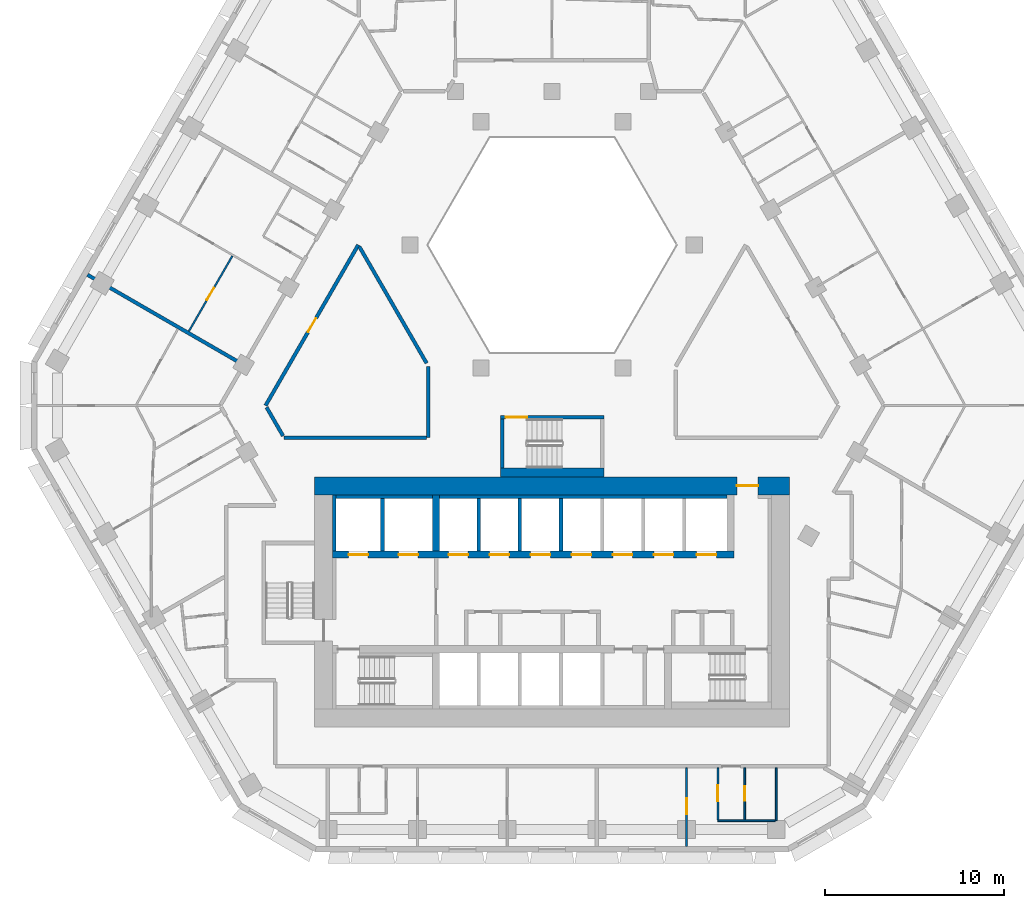
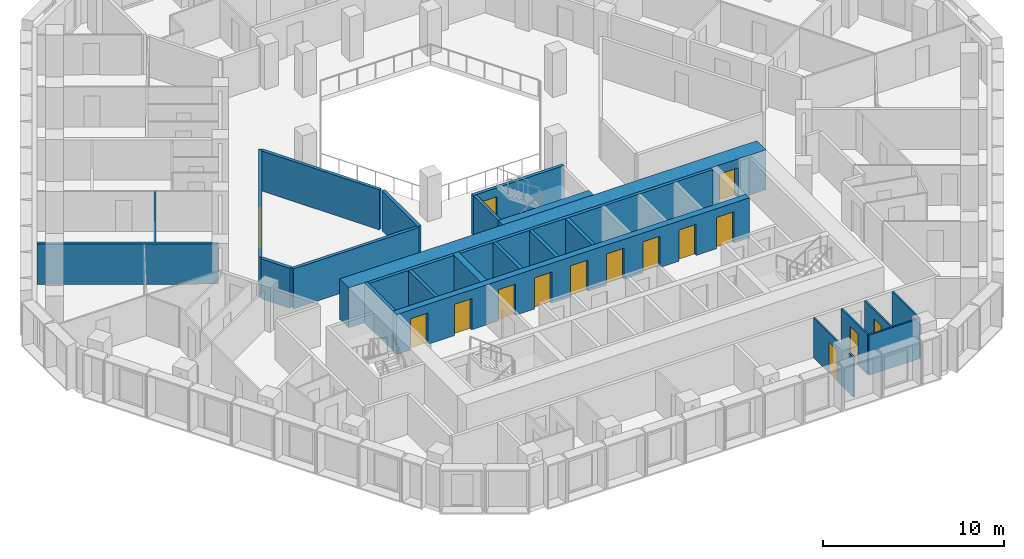
# One storey, part 5 of 16: 25 walls, 16 doors, 16 openings.
"""IFC4 building model written with IfcOpenShell, lengths in metres."""

from ifc_helpers import new_model, si_unit, direction, frame, frame_2d, origin, place, context, subcontext, project, spatial, rectangle, extrude, material, layer, layer_set, type_object, element, fill, save


model = new_model("IFC4")

# Units and contexts
model_context = context("Model", 3, precision=1e-05, world=origin(), true_north=direction((0.0, 1.0)))
body_context = subcontext(model_context, "Body", "Model", "MODEL_VIEW")
ifc_project = project(units=[si_unit("LENGTHUNIT", "METRE"), si_unit("AREAUNIT", "SQUARE_METRE"), si_unit("VOLUMEUNIT", "CUBIC_METRE"), si_unit("PLANEANGLEUNIT", "RADIAN"), si_unit("MASSUNIT", "GRAM", prefix="KILO")], contexts=[model_context])

# Site, building, storey
site_placement = place(None, origin())
site = spatial("IfcSite", under=ifc_project, at=site_placement, CompositionType="ELEMENT")
building_placement = place(site_placement, origin())
building = spatial("IfcBuilding", under=site, at=building_placement, Name="Beryl Residences", CompositionType="ELEMENT")
storey_placement = place(building_placement, frame((0.0, 0.0, 90.0)))
storey = spatial("IfcBuildingStorey", under=building, at=storey_placement, Name="L27", CompositionType="ELEMENT", Elevation=90.0)

# Wall, opening, door
ifc_material_1 = material(Name="Gypsum board partition on steel studs", Category="steel")
ifc_layer_1 = layer(ifc_material_1, 0.10009765625)
ifc_layer_set_1 = layer_set([ifc_layer_1], Name="PT1 partition 100 mm gypsum board on steel studs")
wall_type_1 = type_object("IfcWallType", Name="PT1 partition 100 mm gypsum board on steel studs", PredefinedType="PARTITIONING", material=ifc_layer_set_1)
wall_1_placement = place(storey_placement, frame((9.29296875, -21.300048828125, 0.0), z_axis=(0.0, 0.0, 1.0), x_axis=(0.0, -1.0, 0.0)))
wall_1 = element("IfcWall", 1, at=wall_1_placement, inside=storey, type_object=wall_type_1, Name="Wall PT1 L27 011", PredefinedType="PARTITIONING", context=body_context, shape_type="SweptSolid", body=[
    extrude(rectangle(XDim=2.908935546875, YDim=0.10009765625, at=frame_2d((1.45458984375, 0.0))), origin(), (0.0, 0.0, 1.0), 2.699951171875),
])
opening_1_placement = place(wall_1_placement, frame((0.97998046875, 0.0, 0.0)))
opening_1 = element("IfcOpeningElement", 2, at=opening_1_placement, cuts=wall_1, Name="Opening D0907", PredefinedType="OPENING", context=body_context, shape_type="SweptSolid", body=[
    extrude(rectangle(XDim=0.89990234375, YDim=2.10009765625, at=frame_2d((0.449951171875, 1.050048828125))), frame((0.0, 0.06005859375, 0.0), z_axis=(0.0, -1.0, 0.0), x_axis=(1.0, 0.0, 0.0)), (0.0, 0.0, 1.0), 0.1201171875),
])
ifc_material_2 = material(Name="Timber door leaf", Category="wood")
door_type_1 = type_object("IfcDoorType", Name="D2 room door 900 x 2100 mm", OperationType="SINGLE_SWING_LEFT", PredefinedType="DOOR", material=ifc_material_2)
door_1_placement = place(opening_1_placement, origin())
door_1 = element("IfcDoor", 3, at=door_1_placement, inside=storey, type_object=door_type_1, Name="Door D0907 L27 001", OperationType="SINGLE_SWING_LEFT", OverallHeight=2.10009765625, OverallWidth=0.89990234375, PredefinedType="DOOR", context=body_context, shape_type="SweptSolid", body=[
    extrude(rectangle(XDim=0.89990234375, YDim=2.10009765625, at=frame_2d((0.449951171875, 1.050048828125))), frame((0.0, 0.02490234375, 0.0), z_axis=(0.0, -1.0, 0.0), x_axis=(1.0, 0.0, 0.0)), (0.0, 0.0, 1.0), 0.050048828125),
])
fill(opening_1, door_1)

# Wall
wall_2_placement = place(storey_placement, frame((9.2939453125, -24.260009765625, 0.0), z_axis=(0.0, 0.0, 1.0), x_axis=(1.0, 0.0, 0.0)))
element("IfcWall", 4, at=wall_2_placement, inside=storey, type_object=wall_type_1, Name="Wall PT1 L27 029", PredefinedType="PARTITIONING", context=body_context, shape_type="SweptSolid", body=[
    extrude(rectangle(XDim=3.213134765625, YDim=0.10009765625, at=frame_2d((1.6064453125, 0.0))), origin(), (0.0, 0.0, 1.0), 2.699951171875),
])

# Wall, opening, door
wall_3_placement = place(storey_placement, frame((-20.344970703125, 3.162109375, 0.0), z_axis=(0.0, 0.0, 1.0), x_axis=(0.499943653708, 0.866057932887, 0.0)))
wall_3 = element("IfcWall", 5, at=wall_3_placement, inside=storey, type_object=wall_type_1, Name="Wall PT1 L27 037", PredefinedType="PARTITIONING", context=body_context, shape_type="SweptSolid", body=[
    extrude(rectangle(XDim=4.87255859375, YDim=0.10009765625, at=frame_2d((2.436279296875, 0.0))), origin(), (0.0, 0.0, 1.0), 2.699951171875),
])
opening_2_placement = place(wall_3_placement, frame((2.010986328125, 0.0, 0.0)))
opening_2 = element("IfcOpeningElement", 6, at=opening_2_placement, cuts=wall_3, Name="Opening D0949", PredefinedType="OPENING", context=body_context, shape_type="SweptSolid", body=[
    extrude(rectangle(XDim=0.800048828125, YDim=2.10009765625, at=frame_2d((0.39990234375, 1.050048828125))), frame((0.0, 0.06005859375, 0.0), z_axis=(0.0, -1.0, 0.0), x_axis=(1.0, 0.0, 0.0)), (0.0, 0.0, 1.0), 0.1201171875),
])
ifc_material_3 = material(Name="Timber door leaf", Category="wood")
door_type_2 = type_object("IfcDoorType", Name="D3 bathroom door 800 x 2100 mm", OperationType="SINGLE_SWING_LEFT", PredefinedType="DOOR", material=ifc_material_3)
door_2_placement = place(opening_2_placement, origin())
door_2 = element("IfcDoor", 7, at=door_2_placement, inside=storey, type_object=door_type_2, Name="Door D0949 L27 001", OperationType="SINGLE_SWING_LEFT", OverallHeight=2.10009765625, OverallWidth=0.800048828125, PredefinedType="DOOR", context=body_context, shape_type="SweptSolid", body=[
    extrude(rectangle(XDim=0.800048828125, YDim=2.10009765625, at=frame_2d((0.39990234375, 1.050048828125))), frame((0.0, 0.02490234375, 0.0), z_axis=(0.0, -1.0, 0.0), x_axis=(1.0, 0.0, 0.0)), (0.0, 0.0, 1.0), 0.050048828125),
])
fill(opening_2, door_2)

wall_4_placement = place(storey_placement, frame((7.534912109375, -25.699951171875, 0.0), z_axis=(0.0, 0.0, 1.0), x_axis=(0.0, 1.0, 0.0)))
wall_4 = element("IfcWall", 8, at=wall_4_placement, inside=storey, type_object=wall_type_1, Name="Wall PT1 L27 047", PredefinedType="PARTITIONING", context=body_context, shape_type="SweptSolid", body=[
    extrude(rectangle(XDim=4.39990234375, YDim=0.10009765625, at=frame_2d((2.199951171875, 0.0))), origin(), (0.0, 0.0, 1.0), 2.699951171875),
])
opening_3_placement = place(wall_4_placement, frame((1.800048828125, 0.0, 0.0)))
opening_3 = element("IfcOpeningElement", 9, at=opening_3_placement, cuts=wall_4, Name="Opening D0909", PredefinedType="OPENING", context=body_context, shape_type="SweptSolid", body=[
    extrude(rectangle(XDim=0.89990234375, YDim=2.10009765625, at=frame_2d((0.449951171875, 1.050048828125))), frame((0.0, 0.06005859375, 0.0), z_axis=(0.0, -1.0, 0.0), x_axis=(1.0, 0.0, 0.0)), (0.0, 0.0, 1.0), 0.1201171875),
])
door_3_placement = place(opening_3_placement, origin())
door_3 = element("IfcDoor", 10, at=door_3_placement, inside=storey, type_object=door_type_1, Name="Door D0909 L27 001", OperationType="SINGLE_SWING_LEFT", OverallHeight=2.10009765625, OverallWidth=0.89990234375, PredefinedType="DOOR", context=body_context, shape_type="SweptSolid", body=[
    extrude(rectangle(XDim=0.89990234375, YDim=2.10009765625, at=frame_2d((0.449951171875, 1.050048828125))), frame((0.0, 0.02490234375, 0.0), z_axis=(0.0, -1.0, 0.0), x_axis=(1.0, 0.0, 0.0)), (0.0, 0.0, 1.0), 0.050048828125),
])
fill(opening_3, door_3)

wall_5_placement = place(storey_placement, frame((10.800048828125, -24.2099609375, 0.0), z_axis=(0.0, 0.0, 1.0), x_axis=(0.0, 1.0, 0.0)))
wall_5 = element("IfcWall", 11, at=wall_5_placement, inside=storey, type_object=wall_type_1, Name="Wall PT1 L27 048", PredefinedType="PARTITIONING", context=body_context, shape_type="SweptSolid", body=[
    extrude(rectangle(XDim=2.909912109375, YDim=0.10009765625, at=frame_2d((1.455078125, 0.0))), origin(), (0.0, 0.0, 1.0), 2.699951171875),
])
opening_4_placement = place(wall_5_placement, frame((1.080078125, 0.0, 0.0)))
opening_4 = element("IfcOpeningElement", 12, at=opening_4_placement, cuts=wall_5, Name="Opening D0908", PredefinedType="OPENING", context=body_context, shape_type="SweptSolid", body=[
    extrude(rectangle(XDim=0.800048828125, YDim=2.10009765625, at=frame_2d((0.39990234375, 1.050048828125))), frame((0.0, 0.06005859375, 0.0), z_axis=(0.0, -1.0, 0.0), x_axis=(1.0, 0.0, 0.0)), (0.0, 0.0, 1.0), 0.1201171875),
])
door_4_placement = place(opening_4_placement, origin())
door_4 = element("IfcDoor", 13, at=door_4_placement, inside=storey, type_object=door_type_2, Name="Door D0908 L27 001", OperationType="SINGLE_SWING_RIGHT", OverallHeight=2.10009765625, OverallWidth=0.800048828125, PredefinedType="DOOR", context=body_context, shape_type="SweptSolid", body=[
    extrude(rectangle(XDim=0.800048828125, YDim=2.10009765625, at=frame_2d((0.39990234375, 1.050048828125))), frame((0.0, 0.02490234375, 0.0), z_axis=(0.0, -1.0, 0.0), x_axis=(1.0, 0.0, 0.0)), (0.0, 0.0, 1.0), 0.050048828125),
])
fill(opening_4, door_4)

# Walls
wall_6_placement = place(storey_placement, frame((12.55810546875, -24.259033203125, 0.0), z_axis=(0.0, 0.0, 1.0), x_axis=(0.0, 1.0, 0.0)))
element("IfcWall", 14, at=wall_6_placement, inside=storey, type_object=wall_type_1, Name="Wall PT1 L27 050", PredefinedType="PARTITIONING", context=body_context, shape_type="SweptSolid", body=[
    extrude(rectangle(XDim=2.958984375, YDim=0.10009765625, at=frame_2d((1.4794921875, 0.0))), origin(), (0.0, 0.0, 1.0), 2.699951171875),
])
ifc_material_4 = material(Name="Acoustic double stud gypsum board wall")
ifc_layer_2 = layer(ifc_material_4, 0.199951171875)
ifc_layer_set_2 = layer_set([ifc_layer_2], Name="PT3 party wall 200 mm acoustic double stud")
wall_type_2 = type_object("IfcWallType", Name="PT3 party wall 200 mm acoustic double stud", PredefinedType="PARTITIONING", material=ifc_layer_set_2)
wall_7_placement = place(storey_placement, frame((-26.02490234375, 6.324951171875, 0.0), z_axis=(0.0, 0.0, 1.0), x_axis=(0.866041268327, -0.499972520799, 0.0)))
element("IfcWall", 15, at=wall_7_placement, inside=storey, type_object=wall_type_2, Name="Wall PT3 L27 002", PredefinedType="PARTITIONING", context=body_context, shape_type="SweptSolid", body=[
    extrude(rectangle(XDim=10.00048828125, YDim=0.199951171875, at=frame_2d((5.000244140625, 0.0))), origin(), (0.0, 0.0, 1.0), 2.699951171875),
])
ifc_material_5 = material(Name="Double stud gypsum board wall")
ifc_layer_3 = layer(ifc_material_5, 0.199951171875)
ifc_layer_set_3 = layer_set([ifc_layer_3], Name="PT4 corridor wall 200 mm double stud")
wall_type_3 = type_object("IfcWallType", Name="PT4 corridor wall 200 mm double stud", PredefinedType="PARTITIONING", material=ifc_layer_set_3)
wall_8_placement = place(storey_placement, frame((-10.7958984375, 7.89892578125, 0.0), z_axis=(0.0, 0.0, 1.0), x_axis=(0.500010383074, -0.866019409031, 0.0)))
element("IfcWall", 16, at=wall_8_placement, inside=storey, type_object=wall_type_3, Name="Wall PT4 L27 001", PredefinedType="PARTITIONING", context=body_context, shape_type="SweptSolid", body=[
    extrude(rectangle(XDim=7.535400390625, YDim=0.199951171875, at=frame_2d((3.767578125, 0.0))), origin(), (0.0, 0.0, 1.0), 2.699951171875),
])
wall_9_placement = place(storey_placement, frame((-15.992919921875, -1.10107421875, 0.0), z_axis=(0.0, 0.0, 1.0), x_axis=(0.499894174133, -0.866086493757, 0.0)))
element("IfcWall", 17, at=wall_9_placement, inside=storey, type_object=wall_type_3, Name="Wall PT4 L27 002", PredefinedType="PARTITIONING", context=body_context, shape_type="SweptSolid", body=[
    extrude(rectangle(XDim=1.84619140625, YDim=0.199951171875, at=frame_2d((0.923095703125, 0.0))), origin(), (0.0, 0.0, 1.0), 2.699951171875),
])
wall_10_placement = place(storey_placement, frame((-15.010986328125, -2.800048828125, 0.0), z_axis=(0.0, 0.0, 1.0), x_axis=(1.0, 0.0, 0.0)))
element("IfcWall", 18, at=wall_10_placement, inside=storey, type_object=wall_type_3, Name="Wall PT4 L27 017", PredefinedType="PARTITIONING", context=body_context, shape_type="SweptSolid", body=[
    extrude(rectangle(XDim=7.98193359375, YDim=0.199951171875, at=frame_2d((3.990966796875, 0.0))), origin(), (0.0, 0.0, 1.0), 2.699951171875),
])

# Wall, opening, door
wall_11_placement = place(storey_placement, frame((-16.050048828125, -1.0, 0.0), z_axis=(0.0, 0.0, 1.0), x_axis=(0.499962449088, 0.866047082728, 0.0)))
wall_11 = element("IfcWall", 19, at=wall_11_placement, inside=storey, type_object=wall_type_3, Name="Wall PT4 L27 026", PredefinedType="PARTITIONING", context=body_context, shape_type="SweptSolid", body=[
    extrude(rectangle(XDim=10.390869140625, YDim=0.199951171875, at=frame_2d((5.1953125, 0.0))), origin(), (0.0, 0.0, 1.0), 2.699951171875),
])
opening_5_placement = place(wall_11_placement, frame((4.7451171875, 0.0, 0.0)))
opening_5 = element("IfcOpeningElement", 20, at=opening_5_placement, cuts=wall_11, Name="Opening D0962", PredefinedType="OPENING", context=body_context, shape_type="SweptSolid", body=[
    extrude(rectangle(XDim=0.89990234375, YDim=2.10009765625, at=frame_2d((0.449951171875, 1.050048828125))), frame((0.0, 0.10986328125, 0.0), z_axis=(0.0, -1.0, 0.0), x_axis=(1.0, 0.0, 0.0)), (0.0, 0.0, 1.0), 0.219970703125),
])
door_5_placement = place(opening_5_placement, origin())
door_5 = element("IfcDoor", 21, at=door_5_placement, inside=storey, type_object=door_type_1, Name="Door D0962 L27 001", OperationType="SINGLE_SWING_RIGHT", OverallHeight=2.10009765625, OverallWidth=0.89990234375, PredefinedType="DOOR", context=body_context, shape_type="SweptSolid", body=[
    extrude(rectangle(XDim=0.89990234375, YDim=2.10009765625, at=frame_2d((0.449951171875, 1.050048828125))), frame((0.0, 0.02490234375, 0.0), z_axis=(0.0, -1.0, 0.0), x_axis=(1.0, 0.0, 0.0)), (0.0, 0.0, 1.0), 0.050048828125),
])
fill(opening_5, door_5)

# Wall
wall_12_placement = place(storey_placement, frame((-6.927978515625, -2.799072265625, 0.0), z_axis=(0.0, 0.0, 1.0), x_axis=(0.0, 1.0, 0.0)))
element("IfcWall", 22, at=wall_12_placement, inside=storey, type_object=wall_type_3, Name="Wall PT4 L27 033", PredefinedType="PARTITIONING", context=body_context, shape_type="SweptSolid", body=[
    extrude(rectangle(XDim=3.9990234375, YDim=0.199951171875, at=frame_2d((1.99951171875, 0.0))), origin(), (0.0, 0.0, 1.0), 2.699951171875),
])

# Wall, opening, door
ifc_material_6 = material(Name="Concrete C40/50", Category="concrete")
ifc_layer_4 = layer(ifc_material_6, 0.199951171875)
ifc_layer_set_4 = layer_set([ifc_layer_4], Name="PT5 stair enclosure wall 200 mm reinforced concrete C40/50")
wall_type_4 = type_object("IfcWallType", Name="PT5 stair enclosure wall 200 mm reinforced concrete C40/50", PredefinedType="SOLIDWALL", material=ifc_layer_set_4)
wall_13_placement = place(storey_placement, frame((-2.89990234375, -1.64990234375, 0.0), z_axis=(0.0, 0.0, 1.0), x_axis=(1.0, 0.0, 0.0)))
wall_13 = element("IfcWall", 23, at=wall_13_placement, inside=storey, type_object=wall_type_4, Name="Wall PT5 L27 001", PredefinedType="SOLIDWALL", context=body_context, shape_type="SweptSolid", body=[
    extrude(rectangle(XDim=5.7998046875, YDim=0.199951171875, at=frame_2d((2.89990234375, 0.0))), origin(), (0.0, 0.0, 1.0), 2.699951171875),
])
opening_6_placement = place(wall_13_placement, frame((0.300048828125, 0.0, 0.0)))
opening_6 = element("IfcOpeningElement", 24, at=opening_6_placement, cuts=wall_13, Name="Opening DS04", PredefinedType="OPENING", context=body_context, shape_type="SweptSolid", body=[
    extrude(rectangle(XDim=1.199951171875, YDim=2.10009765625, at=frame_2d((0.60009765625, 1.050048828125))), frame((0.0, 0.10986328125, 0.0), z_axis=(0.0, -1.0, 0.0), x_axis=(1.0, 0.0, 0.0)), (0.0, 0.0, 1.0), 0.219970703125),
])
ifc_material_7 = material(Name="Steel door leaf in steel frame", Category="steel")
door_type_3 = type_object("IfcDoorType", Name="D4 stair door 1200 x 2100 mm", OperationType="SINGLE_SWING_LEFT", PredefinedType="DOOR", material=ifc_material_7)
door_6_placement = place(opening_6_placement, origin())
door_6 = element("IfcDoor", 25, at=door_6_placement, inside=storey, type_object=door_type_3, Name="Door DS04 L27 001", OperationType="SINGLE_SWING_LEFT", OverallHeight=2.10009765625, OverallWidth=1.199951171875, PredefinedType="DOOR", context=body_context, shape_type="SweptSolid", body=[
    extrude(rectangle(XDim=1.199951171875, YDim=2.10009765625, at=frame_2d((0.60009765625, 1.050048828125))), frame((0.0, 0.02490234375, 0.0), z_axis=(0.0, -1.0, 0.0), x_axis=(1.0, 0.0, 0.0)), (0.0, 0.0, 1.0), 0.050048828125),
])
fill(opening_6, door_6)

# Walls
wall_14_placement = place(storey_placement, frame((-2.800048828125, -4.5, 0.0), z_axis=(0.0, 0.0, 1.0), x_axis=(0.0, 1.0, 0.0)))
element("IfcWall", 26, at=wall_14_placement, inside=storey, type_object=wall_type_4, Name="Wall PT5 L27 002", PredefinedType="SOLIDWALL", context=body_context, shape_type="SweptSolid", body=[
    extrude(rectangle(XDim=2.75, YDim=0.199951171875, at=frame_2d((1.375, 0.0))), origin(), (0.0, 0.0, 1.0), 2.699951171875),
])
ifc_material_8 = material(Name="Concrete C40/50", Category="concrete")
ifc_layer_5 = layer(ifc_material_8, 0.5)
ifc_layer_set_5 = layer_set([ifc_layer_5], Name="PT5-500 stair enclosure wall 500 mm")
wall_type_5 = type_object("IfcWallType", Name="PT5-500 stair enclosure wall 500 mm", PredefinedType="SOLIDWALL", material=ifc_layer_set_5)
wall_15_placement = place(storey_placement, frame((-2.89990234375, -4.75, 0.0), z_axis=(0.0, 0.0, 1.0), x_axis=(1.0, 0.0, 0.0)))
element("IfcWall", 27, at=wall_15_placement, inside=storey, type_object=wall_type_5, Name="Wall PT5-500 L27 001", PredefinedType="SOLIDWALL", context=body_context, shape_type="SweptSolid", body=[
    extrude(rectangle(XDim=5.7998046875, YDim=0.5, at=frame_2d((2.89990234375, 0.0))), origin(), (0.0, 0.0, 1.0), 2.699951171875),
])
ifc_material_9 = material(Name="Concrete C40/50", Category="concrete")
ifc_layer_6 = layer(ifc_material_9, 0.199951171875)
ifc_layer_set_6 = layer_set([ifc_layer_6], Name="PT6 lift shaft wall 200 mm reinforced concrete C40/50")
wall_type_6 = type_object("IfcWallType", Name="PT6 lift shaft wall 200 mm reinforced concrete C40/50", PredefinedType="SOLIDWALL", material=ifc_layer_set_6)
wall_16_placement = place(storey_placement, frame((-12.199951171875, -9.14990234375, 0.0), z_axis=(0.0, 0.0, 1.0), x_axis=(0.0, 1.0, 0.0)))
element("IfcWall", 28, at=wall_16_placement, inside=storey, type_object=wall_type_6, Name="Lift shaft wall 06", PredefinedType="SOLIDWALL", context=body_context, shape_type="SweptSolid", body=[
    extrude(rectangle(XDim=3.14990234375, YDim=0.199951171875, at=frame_2d((1.574951171875, 0.0))), origin(), (0.0, 0.0, 1.0), 2.699951171875),
])
wall_17_placement = place(storey_placement, frame((-12.10009765625, -6.10009765625, 0.0), z_axis=(0.0, 0.0, 1.0), x_axis=(1.0, 0.0, 0.0)))
element("IfcWall", 29, at=wall_17_placement, inside=storey, type_object=wall_type_6, Name="Lift shaft wall 08", PredefinedType="SOLIDWALL", context=body_context, shape_type="SweptSolid", body=[
    extrude(rectangle(XDim=5.400146484375, YDim=0.199951171875, at=frame_2d((2.7001953125, 0.0))), origin(), (0.0, 0.0, 1.0), 2.699951171875),
])
wall_18_placement = place(storey_placement, frame((-9.5, -9.14990234375, 0.0), z_axis=(0.0, 0.0, 1.0), x_axis=(0.0, 1.0, 0.0)))
element("IfcWall", 30, at=wall_18_placement, inside=storey, type_object=wall_type_6, Name="Lift shaft wall 10", PredefinedType="SOLIDWALL", context=body_context, shape_type="SweptSolid", body=[
    extrude(rectangle(XDim=2.949951171875, YDim=0.199951171875, at=frame_2d((1.47509765625, 0.0))), origin(), (0.0, 0.0, 1.0), 2.699951171875),
])
wall_19_placement = place(storey_placement, frame((-6.300048828125, -6.10009765625, 0.0), z_axis=(0.0, 0.0, 1.0), x_axis=(1.0, 0.0, 0.0)))
element("IfcWall", 31, at=wall_19_placement, inside=storey, type_object=wall_type_6, Name="Lift shaft wall 13", PredefinedType="SOLIDWALL", context=body_context, shape_type="SweptSolid", body=[
    extrude(rectangle(XDim=16.10009765625, YDim=0.199951171875, at=frame_2d((8.050048828125, 0.0))), origin(), (0.0, 0.0, 1.0), 2.699951171875),
])
for number, where, z_axis, x_axis, name in (
    (32, (-4.10009765625, -9.14990234375, 0.0), (0.0, 0.0, 1.0), (0.0, 1.0, 0.0), "Lift shaft wall 17"),
    (33, (-1.800048828125, -9.14990234375, 0.0), (0.0, 0.0, 1.0), (0.0, 1.0, 0.0), "Lift shaft wall 20"),
    (34, (0.5, -9.14990234375, 0.0), (0.0, 0.0, 1.0), (0.0, 1.0, 0.0), "Lift shaft wall 22"),
):
    element("IfcWall", number, at=place(storey_placement, frame(where, z_axis=z_axis, x_axis=x_axis)), inside=storey, type_object=wall_type_6, Name=name, PredefinedType="SOLIDWALL", context=body_context, shape_type="SweptSolid", body=[
        extrude(rectangle(XDim=2.949951171875, YDim=0.199951171875, at=frame_2d((1.47509765625, 0.0))), origin(), (0.0, 0.0, 1.0), 2.699951171875),
    ])

# Wall, opening, door
ifc_material_10 = material(Name="Concrete C70/85", Category="concrete")
ifc_layer_7 = layer(ifc_material_10, 1.0)
ifc_layer_set_7 = layer_set([ifc_layer_7], Name="SW2 core outer wall 1000 mm C70/85")
wall_type_7 = type_object("IfcWallType", Name="SW2 core outer wall 1000 mm C70/85", PredefinedType="SHEAR", material=ifc_layer_set_7)
wall_20_placement = place(storey_placement, frame((-13.300048828125, -5.5, 0.0), z_axis=(0.0, 0.0, 1.0), x_axis=(1.0, 0.0, 0.0)))
wall_20 = element("IfcWall", 35, at=wall_20_placement, inside=storey, type_object=wall_type_7, Name="Core wall N L27", PredefinedType="SHEAR", context=body_context, shape_type="SweptSolid", body=[
    extrude(rectangle(XDim=26.60009765625, YDim=1.0, at=frame_2d((13.300048828125, 0.0))), origin(), (0.0, 0.0, 1.0), 2.699951171875),
])
opening_7_placement = place(wall_20_placement, frame((23.64990234375, 0.0, 0.0)))
opening_7 = element("IfcOpeningElement", 36, at=opening_7_placement, cuts=wall_20, Name="Opening FD-NORTH", PredefinedType="OPENING", context=body_context, shape_type="SweptSolid", body=[
    extrude(rectangle(XDim=1.199951171875, YDim=2.10009765625, at=frame_2d((0.60009765625, 1.050048828125))), frame((0.0, 0.510009765625, 0.0), z_axis=(0.0, -1.0, 0.0), x_axis=(1.0, 0.0, 0.0)), (0.0, 0.0, 1.0), 1.02001953125),
])
ifc_material_11 = material(Name="Steel door leaf in steel frame", Category="steel")
door_type_4 = type_object("IfcDoorType", Name="D22 lobby door 1200 x 2100 mm", OperationType="DOUBLE_DOOR_SINGLE_SWING", PredefinedType="DOOR", material=ifc_material_11)
door_7_placement = place(opening_7_placement, origin())
door_7 = element("IfcDoor", 37, at=door_7_placement, inside=storey, type_object=door_type_4, Name="Door FD-NORTH L27 001", OperationType="DOUBLE_DOOR_SINGLE_SWING", OverallHeight=2.10009765625, OverallWidth=1.199951171875, PredefinedType="DOOR", context=body_context, shape_type="SweptSolid", body=[
    extrude(rectangle(XDim=1.199951171875, YDim=2.10009765625, at=frame_2d((0.60009765625, 1.050048828125))), frame((0.0, 0.02490234375, 0.0), z_axis=(0.0, -1.0, 0.0), x_axis=(1.0, 0.0, 0.0)), (0.0, 0.0, 1.0), 0.050048828125),
])
fill(opening_7, door_7)

# Wall, openings, doors
ifc_material_12 = material(Name="Concrete C70/85", Category="concrete")
ifc_layer_8 = layer(ifc_material_12, 0.39990234375)
ifc_layer_set_8 = layer_set([ifc_layer_8], Name="SW7 core internal wall 400 mm C70/85")
wall_type_8 = type_object("IfcWallType", Name="SW7 core internal wall 400 mm C70/85", PredefinedType="SHEAR", material=ifc_layer_set_8)
wall_21_placement = place(storey_placement, frame((-12.300048828125, -9.35009765625, 0.0), z_axis=(0.0, 0.0, 1.0), x_axis=(1.0, 0.0, 0.0)))
wall_21 = element("IfcWall", 38, at=wall_21_placement, inside=storey, type_object=wall_type_8, Name="Core wall SP2 L27", PredefinedType="SHEAR", context=body_context, shape_type="SweptSolid", body=[
    extrude(rectangle(XDim=22.5, YDim=0.39990234375, at=frame_2d((11.25, 0.0))), origin(), (0.0, 0.0, 1.0), 2.699951171875),
])
opening_8_placement = place(wall_21_placement, frame((0.89990234375, 0.0, 0.0)))
opening_8 = element("IfcOpeningElement", 39, at=opening_8_placement, cuts=wall_21, Name="Opening LD-FF1", PredefinedType="OPENING", context=body_context, shape_type="SweptSolid", body=[
    extrude(rectangle(XDim=1.10009765625, YDim=2.10009765625, at=frame_2d((0.550048828125, 1.050048828125))), frame((0.0, 0.2099609375, 0.0), z_axis=(0.0, -1.0, 0.0), x_axis=(1.0, 0.0, 0.0)), (0.0, 0.0, 1.0), 0.419921875),
])
opening_9_placement = place(wall_21_placement, frame((3.699951171875, 0.0, 0.0)))
opening_9 = element("IfcOpeningElement", 40, at=opening_9_placement, cuts=wall_21, Name="Opening LD-FF2", PredefinedType="OPENING", context=body_context, shape_type="SweptSolid", body=[
    extrude(rectangle(XDim=1.10009765625, YDim=2.10009765625, at=frame_2d((0.550048828125, 1.050048828125))), frame((0.0, 0.2099609375, 0.0), z_axis=(0.0, -1.0, 0.0), x_axis=(1.0, 0.0, 0.0)), (0.0, 0.0, 1.0), 0.419921875),
])
opening_10_placement = place(wall_21_placement, frame((6.5, 0.0, 0.0)))
opening_10 = element("IfcOpeningElement", 41, at=opening_10_placement, cuts=wall_21, Name="Opening LD-LR1", PredefinedType="OPENING", context=body_context, shape_type="SweptSolid", body=[
    extrude(rectangle(XDim=1.10009765625, YDim=2.10009765625, at=frame_2d((0.550048828125, 1.050048828125))), frame((0.0, 0.2099609375, 0.0), z_axis=(0.0, -1.0, 0.0), x_axis=(1.0, 0.0, 0.0)), (0.0, 0.0, 1.0), 0.419921875),
])
opening_11_placement = place(wall_21_placement, frame((8.800048828125, 0.0, 0.0)))
opening_11 = element("IfcOpeningElement", 42, at=opening_11_placement, cuts=wall_21, Name="Opening LD-LR2", PredefinedType="OPENING", context=body_context, shape_type="SweptSolid", body=[
    extrude(rectangle(XDim=1.10009765625, YDim=2.10009765625, at=frame_2d((0.550048828125, 1.050048828125))), frame((0.0, 0.2099609375, 0.0), z_axis=(0.0, -1.0, 0.0), x_axis=(1.0, 0.0, 0.0)), (0.0, 0.0, 1.0), 0.419921875),
])
opening_12_placement = place(wall_21_placement, frame((11.10009765625, 0.0, 0.0)))
opening_12 = element("IfcOpeningElement", 43, at=opening_12_placement, cuts=wall_21, Name="Opening LD-LR3", PredefinedType="OPENING", context=body_context, shape_type="SweptSolid", body=[
    extrude(rectangle(XDim=1.10009765625, YDim=2.10009765625, at=frame_2d((0.550048828125, 1.050048828125))), frame((0.0, 0.2099609375, 0.0), z_axis=(0.0, -1.0, 0.0), x_axis=(1.0, 0.0, 0.0)), (0.0, 0.0, 1.0), 0.419921875),
])
opening_13_placement = place(wall_21_placement, frame((13.39990234375, 0.0, 0.0)))
opening_13 = element("IfcOpeningElement", 44, at=opening_13_placement, cuts=wall_21, Name="Opening LD-LR4", PredefinedType="OPENING", context=body_context, shape_type="SweptSolid", body=[
    extrude(rectangle(XDim=1.10009765625, YDim=2.10009765625, at=frame_2d((0.550048828125, 1.050048828125))), frame((0.0, 0.2099609375, 0.0), z_axis=(0.0, -1.0, 0.0), x_axis=(1.0, 0.0, 0.0)), (0.0, 0.0, 1.0), 0.419921875),
])
opening_14_placement = place(wall_21_placement, frame((15.699951171875, 0.0, 0.0)))
opening_14 = element("IfcOpeningElement", 45, at=opening_14_placement, cuts=wall_21, Name="Opening LD-LR5", PredefinedType="OPENING", context=body_context, shape_type="SweptSolid", body=[
    extrude(rectangle(XDim=1.10009765625, YDim=2.10009765625, at=frame_2d((0.550048828125, 1.050048828125))), frame((0.0, 0.2099609375, 0.0), z_axis=(0.0, -1.0, 0.0), x_axis=(1.0, 0.0, 0.0)), (0.0, 0.0, 1.0), 0.419921875),
])
opening_15_placement = place(wall_21_placement, frame((18.0, 0.0, 0.0)))
opening_15 = element("IfcOpeningElement", 46, at=opening_15_placement, cuts=wall_21, Name="Opening LD-LR6", PredefinedType="OPENING", context=body_context, shape_type="SweptSolid", body=[
    extrude(rectangle(XDim=1.10009765625, YDim=2.10009765625, at=frame_2d((0.550048828125, 1.050048828125))), frame((0.0, 0.2099609375, 0.0), z_axis=(0.0, -1.0, 0.0), x_axis=(1.0, 0.0, 0.0)), (0.0, 0.0, 1.0), 0.419921875),
])
opening_16_placement = place(wall_21_placement, frame((20.39990234375, 0.0, 0.0)))
opening_16 = element("IfcOpeningElement", 47, at=opening_16_placement, cuts=wall_21, Name="Opening LD-SL1", PredefinedType="OPENING", context=body_context, shape_type="SweptSolid", body=[
    extrude(rectangle(XDim=1.10009765625, YDim=2.10009765625, at=frame_2d((0.550048828125, 1.050048828125))), frame((0.0, 0.2099609375, 0.0), z_axis=(0.0, -1.0, 0.0), x_axis=(1.0, 0.0, 0.0)), (0.0, 0.0, 1.0), 0.419921875),
])
ifc_material_13 = material(Name="Stainless steel sliding door", Category="steel")
door_type_5 = type_object("IfcDoorType", Name="LD1 lift landing door 1100 x 2100 mm", OperationType="DOUBLE_DOOR_SLIDING", PredefinedType="DOOR", material=ifc_material_13)
door_8_placement = place(opening_8_placement, origin())
door_8 = element("IfcDoor", 48, at=door_8_placement, inside=storey, type_object=door_type_5, Name="Lift landing door FF1", OperationType="DOUBLE_DOOR_SLIDING", OverallHeight=2.10009765625, OverallWidth=1.10009765625, PredefinedType="DOOR", context=body_context, shape_type="SweptSolid", body=[
    extrude(rectangle(XDim=1.10009765625, YDim=2.10009765625, at=frame_2d((0.550048828125, 1.050048828125))), frame((0.0, 0.02490234375, 0.0), z_axis=(0.0, -1.0, 0.0), x_axis=(1.0, 0.0, 0.0)), (0.0, 0.0, 1.0), 0.050048828125),
])
fill(opening_8, door_8)
door_9_placement = place(opening_9_placement, origin())
door_9 = element("IfcDoor", 49, at=door_9_placement, inside=storey, type_object=door_type_5, Name="Lift landing door FF2", OperationType="DOUBLE_DOOR_SLIDING", OverallHeight=2.10009765625, OverallWidth=1.10009765625, PredefinedType="DOOR", context=body_context, shape_type="SweptSolid", body=[
    extrude(rectangle(XDim=1.10009765625, YDim=2.10009765625, at=frame_2d((0.550048828125, 1.050048828125))), frame((0.0, 0.02490234375, 0.0), z_axis=(0.0, -1.0, 0.0), x_axis=(1.0, 0.0, 0.0)), (0.0, 0.0, 1.0), 0.050048828125),
])
fill(opening_9, door_9)
door_10_placement = place(opening_10_placement, origin())
door_10 = element("IfcDoor", 50, at=door_10_placement, inside=storey, type_object=door_type_5, Name="Lift landing door LR1", OperationType="DOUBLE_DOOR_SLIDING", OverallHeight=2.10009765625, OverallWidth=1.10009765625, PredefinedType="DOOR", context=body_context, shape_type="SweptSolid", body=[
    extrude(rectangle(XDim=1.10009765625, YDim=2.10009765625, at=frame_2d((0.550048828125, 1.050048828125))), frame((0.0, 0.02490234375, 0.0), z_axis=(0.0, -1.0, 0.0), x_axis=(1.0, 0.0, 0.0)), (0.0, 0.0, 1.0), 0.050048828125),
])
fill(opening_10, door_10)
door_11_placement = place(opening_11_placement, origin())
door_11 = element("IfcDoor", 51, at=door_11_placement, inside=storey, type_object=door_type_5, Name="Lift landing door LR2", OperationType="DOUBLE_DOOR_SLIDING", OverallHeight=2.10009765625, OverallWidth=1.10009765625, PredefinedType="DOOR", context=body_context, shape_type="SweptSolid", body=[
    extrude(rectangle(XDim=1.10009765625, YDim=2.10009765625, at=frame_2d((0.550048828125, 1.050048828125))), frame((0.0, 0.02490234375, 0.0), z_axis=(0.0, -1.0, 0.0), x_axis=(1.0, 0.0, 0.0)), (0.0, 0.0, 1.0), 0.050048828125),
])
fill(opening_11, door_11)
door_12_placement = place(opening_12_placement, origin())
door_12 = element("IfcDoor", 52, at=door_12_placement, inside=storey, type_object=door_type_5, Name="Lift landing door LR3", OperationType="DOUBLE_DOOR_SLIDING", OverallHeight=2.10009765625, OverallWidth=1.10009765625, PredefinedType="DOOR", context=body_context, shape_type="SweptSolid", body=[
    extrude(rectangle(XDim=1.10009765625, YDim=2.10009765625, at=frame_2d((0.550048828125, 1.050048828125))), frame((0.0, 0.02490234375, 0.0), z_axis=(0.0, -1.0, 0.0), x_axis=(1.0, 0.0, 0.0)), (0.0, 0.0, 1.0), 0.050048828125),
])
fill(opening_12, door_12)
door_13_placement = place(opening_13_placement, origin())
door_13 = element("IfcDoor", 53, at=door_13_placement, inside=storey, type_object=door_type_5, Name="Lift landing door LR4", OperationType="DOUBLE_DOOR_SLIDING", OverallHeight=2.10009765625, OverallWidth=1.10009765625, PredefinedType="DOOR", context=body_context, shape_type="SweptSolid", body=[
    extrude(rectangle(XDim=1.10009765625, YDim=2.10009765625, at=frame_2d((0.550048828125, 1.050048828125))), frame((0.0, 0.02490234375, 0.0), z_axis=(0.0, -1.0, 0.0), x_axis=(1.0, 0.0, 0.0)), (0.0, 0.0, 1.0), 0.050048828125),
])
fill(opening_13, door_13)
door_14_placement = place(opening_14_placement, origin())
door_14 = element("IfcDoor", 54, at=door_14_placement, inside=storey, type_object=door_type_5, Name="Lift landing door LR5", OperationType="DOUBLE_DOOR_SLIDING", OverallHeight=2.10009765625, OverallWidth=1.10009765625, PredefinedType="DOOR", context=body_context, shape_type="SweptSolid", body=[
    extrude(rectangle(XDim=1.10009765625, YDim=2.10009765625, at=frame_2d((0.550048828125, 1.050048828125))), frame((0.0, 0.02490234375, 0.0), z_axis=(0.0, -1.0, 0.0), x_axis=(1.0, 0.0, 0.0)), (0.0, 0.0, 1.0), 0.050048828125),
])
fill(opening_14, door_14)
door_15_placement = place(opening_15_placement, origin())
door_15 = element("IfcDoor", 55, at=door_15_placement, inside=storey, type_object=door_type_5, Name="Lift landing door LR6", OperationType="DOUBLE_DOOR_SLIDING", OverallHeight=2.10009765625, OverallWidth=1.10009765625, PredefinedType="DOOR", context=body_context, shape_type="SweptSolid", body=[
    extrude(rectangle(XDim=1.10009765625, YDim=2.10009765625, at=frame_2d((0.550048828125, 1.050048828125))), frame((0.0, 0.02490234375, 0.0), z_axis=(0.0, -1.0, 0.0), x_axis=(1.0, 0.0, 0.0)), (0.0, 0.0, 1.0), 0.050048828125),
])
fill(opening_15, door_15)
door_16_placement = place(opening_16_placement, origin())
door_16 = element("IfcDoor", 56, at=door_16_placement, inside=storey, type_object=door_type_5, Name="Lift landing door SL1", OperationType="DOUBLE_DOOR_SLIDING", OverallHeight=2.10009765625, OverallWidth=1.10009765625, PredefinedType="DOOR", context=body_context, shape_type="SweptSolid", body=[
    extrude(rectangle(XDim=1.10009765625, YDim=2.10009765625, at=frame_2d((0.550048828125, 1.050048828125))), frame((0.0, 0.02490234375, 0.0), z_axis=(0.0, -1.0, 0.0), x_axis=(1.0, 0.0, 0.0)), (0.0, 0.0, 1.0), 0.050048828125),
])
fill(opening_16, door_16)

# Wall
wall_22_placement = place(storey_placement, frame((-6.5, -9.14990234375, 0.0), z_axis=(0.0, 0.0, 1.0), x_axis=(0.0, 1.0, 0.0)))
element("IfcWall", 57, at=wall_22_placement, inside=storey, type_object=wall_type_8, Name="Core wall XN1 L27", PredefinedType="SHEAR", context=body_context, shape_type="SweptSolid", body=[
    extrude(rectangle(XDim=3.14990234375, YDim=0.39990234375, at=frame_2d((1.574951171875, 0.0))), origin(), (0.0, 0.0, 1.0), 2.699951171875),
])

save(model, "model.ifc")
